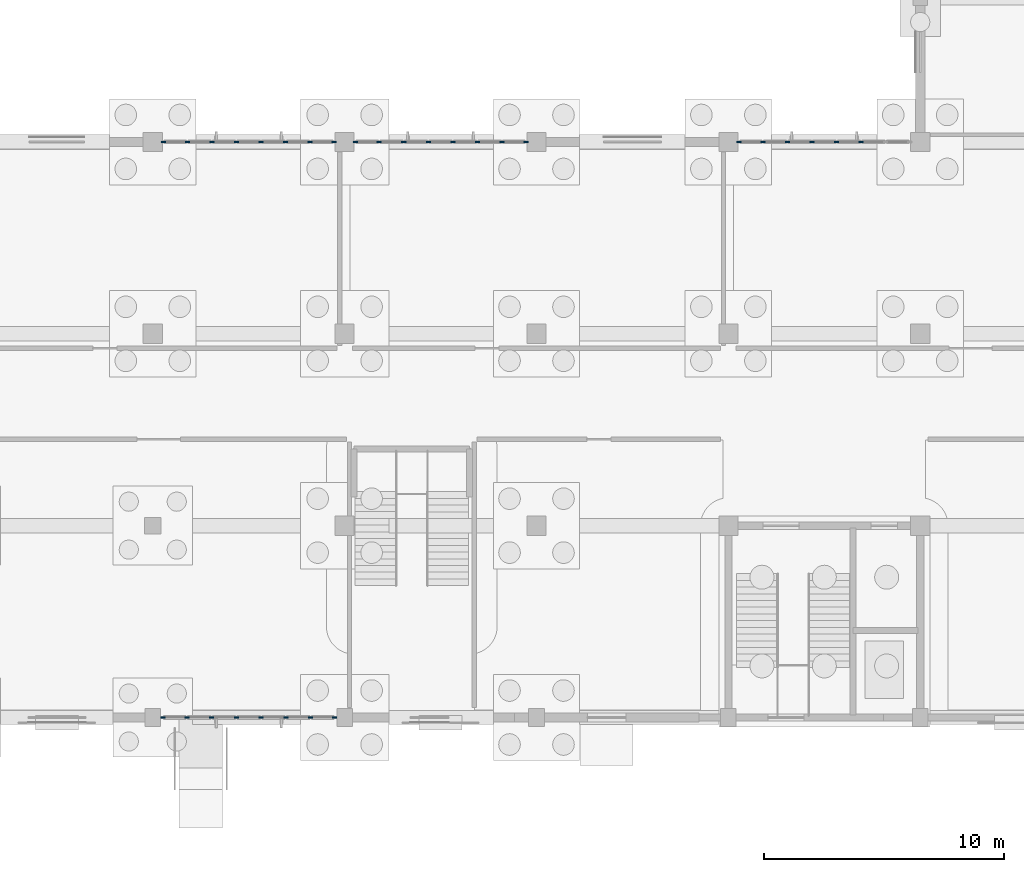
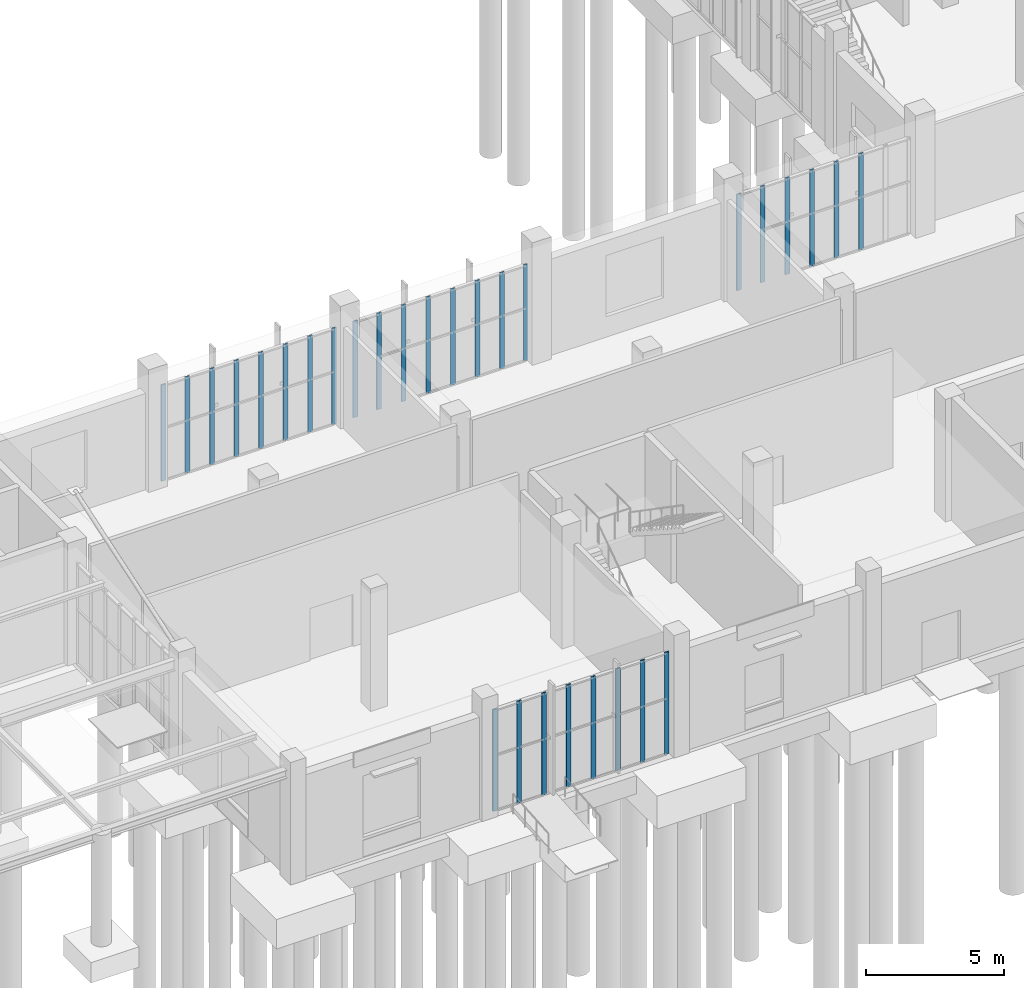
# One storey, part 12 of 69: 30 members, 4 elements without a shape of their own.
"""IFC4 building model written with IfcOpenShell, lengths in metres."""

from ifc_helpers import new_model, si_unit, direction, frame, origin, origin_2d, place, context, subcontext, project, spatial, rectangle, extrude, material, layer, layer_set, material_profile, profile_set, type_object, element, aggregate, save


model = new_model("IFC4")

# Units and contexts
model_context = context("Model", 3, precision=1e-05, world=origin(), true_north=direction((0.0, 1.0)))
body_context = subcontext(model_context, "Body", "Model", "MODEL_VIEW")
ifc_project = project(units=[si_unit("LENGTHUNIT", "METRE"), si_unit("AREAUNIT", "SQUARE_METRE"), si_unit("VOLUMEUNIT", "CUBIC_METRE"), si_unit("PLANEANGLEUNIT", "RADIAN"), si_unit("MASSUNIT", "GRAM", prefix="KILO")], contexts=[model_context])

# Site, building, storey
site_placement = place(None, origin())
site = spatial("IfcSite", under=ifc_project, at=site_placement, CompositionType="ELEMENT")
building_placement = place(site_placement, origin())
building = spatial("IfcBuilding", under=site, at=building_placement, Name="Solvane Community Centre", CompositionType="ELEMENT")
storey_placement = place(building_placement, origin())
storey = spatial("IfcBuildingStorey", under=building, at=storey_placement, Name="L00", CompositionType="ELEMENT", Elevation=0.0)

# Curtain wall, members
ifc_material = material(Name="Anodised bronze aluminium AW-6063 T6", Category="aluminium")
ifc_layer_1 = layer(ifc_material, 0.18994140625)
ifc_layer_set_1 = layer_set([ifc_layer_1], Name="Anodised bronze aluminium AW-6063 T6")
curtain_wall_type_1 = type_object("IfcCurtainWallType", Name="Boulevard Bronze Vision Curtain Wall [72x45dm]", PredefinedType="NOTDEFINED", material=ifc_layer_set_1)
curtain_wall_1_placement = place(storey_placement, origin())
curtain_wall_1 = element("IfcCurtainWall", 1, at=curtain_wall_1_placement, inside=storey, type_object=curtain_wall_type_1, Name="Curtain Wall CW-L00-836_60-001", PredefinedType="NOTDEFINED")
ifc_material_profile = material_profile(ifc_material, rectangle(XDim=0.06005859375, YDim=0.18994140625, at=origin_2d()), Name="CW-M 60x190")
ifc_profile_set = profile_set([ifc_material_profile], Name="Anodised bronze aluminium AW-6063 T6")
member_type = type_object("IfcMemberType", Name="Boulevard Mullion 60x190", PredefinedType="MULLION", material=ifc_profile_set)
member_1_placement = place(storey_placement, frame((83.580078125, 6.0, 0.0), z_axis=(0.0, 0.0, 1.0), x_axis=(0.0, -1.0, 0.0)))
member_1 = element("IfcMember", 2, at=member_1_placement, type_object=member_type, Name="CW02-72x45 mullion 1", PredefinedType="MULLION", context=body_context, shape_type="SweptSolid", body=[
    extrude(rectangle(XDim=0.06005859375, YDim=0.18994140625, at=origin_2d()), origin(), (0.0, 0.0, 1.0), 4.4951171875),
])
member_2_placement = place(storey_placement, frame((82.57861328125, 6.0, 0.0), z_axis=(0.0, 0.0, 1.0), x_axis=(0.0, -1.0, 0.0)))
member_2 = element("IfcMember", 3, at=member_2_placement, type_object=member_type, Name="CW02-72x45 mullion 2", PredefinedType="MULLION", context=body_context, shape_type="SweptSolid", body=[
    extrude(rectangle(XDim=0.06005859375, YDim=0.18994140625, at=origin_2d()), origin(), (0.0, 0.0, 1.0), 4.4951171875),
])
member_3_placement = place(storey_placement, frame((81.547119140625, 6.0, 0.0), z_axis=(0.0, 0.0, 1.0), x_axis=(0.0, -1.0, 0.0)))
member_3 = element("IfcMember", 4, at=member_3_placement, type_object=member_type, Name="CW02-72x45 mullion 3", PredefinedType="MULLION", context=body_context, shape_type="SweptSolid", body=[
    extrude(rectangle(XDim=0.06005859375, YDim=0.18994140625, at=origin_2d()), origin(), (0.0, 0.0, 1.0), 4.4951171875),
])
member_4_placement = place(storey_placement, frame((80.515625, 6.0, 0.0), z_axis=(0.0, 0.0, 1.0), x_axis=(0.0, -1.0, 0.0)))
member_4 = element("IfcMember", 5, at=member_4_placement, type_object=member_type, Name="CW02-72x45 mullion 4", PredefinedType="MULLION", context=body_context, shape_type="SweptSolid", body=[
    extrude(rectangle(XDim=0.06005859375, YDim=0.18994140625, at=origin_2d()), origin(), (0.0, 0.0, 1.0), 4.4951171875),
])
member_5_placement = place(storey_placement, frame((79.484375, 6.0, 0.0), z_axis=(0.0, 0.0, 1.0), x_axis=(0.0, -1.0, 0.0)))
member_5 = element("IfcMember", 6, at=member_5_placement, type_object=member_type, Name="CW02-72x45 mullion 5", PredefinedType="MULLION", context=body_context, shape_type="SweptSolid", body=[
    extrude(rectangle(XDim=0.06005859375, YDim=0.18994140625, at=origin_2d()), origin(), (0.0, 0.0, 1.0), 4.4951171875),
])
member_6_placement = place(storey_placement, frame((78.452880859375, 6.0, 0.0), z_axis=(0.0, 0.0, 1.0), x_axis=(0.0, -1.0, 0.0)))
member_6 = element("IfcMember", 7, at=member_6_placement, type_object=member_type, Name="CW02-72x45 mullion 6", PredefinedType="MULLION", context=body_context, shape_type="SweptSolid", body=[
    extrude(rectangle(XDim=0.06005859375, YDim=0.18994140625, at=origin_2d()), origin(), (0.0, 0.0, 1.0), 4.4951171875),
])
member_7_placement = place(storey_placement, frame((77.42138671875, 6.0, 0.0), z_axis=(0.0, 0.0, 1.0), x_axis=(0.0, -1.0, 0.0)))
member_7 = element("IfcMember", 8, at=member_7_placement, type_object=member_type, Name="CW02-72x45 mullion 7", PredefinedType="MULLION", context=body_context, shape_type="SweptSolid", body=[
    extrude(rectangle(XDim=0.06005859375, YDim=0.18994140625, at=origin_2d()), origin(), (0.0, 0.0, 1.0), 4.4951171875),
])
member_8_placement = place(storey_placement, frame((76.419921875, 6.0, 0.0), z_axis=(0.0, 0.0, 1.0), x_axis=(0.0, -1.0, 0.0)))
member_8 = element("IfcMember", 9, at=member_8_placement, type_object=member_type, Name="CW02-72x45 mullion 8", PredefinedType="MULLION", context=body_context, shape_type="SweptSolid", body=[
    extrude(rectangle(XDim=0.06005859375, YDim=0.18994140625, at=origin_2d()), origin(), (0.0, 0.0, 1.0), 4.4951171875),
])
aggregate(curtain_wall_1, [member_1, member_2, member_3, member_4, member_5, member_6, member_7, member_8])

ifc_layer_2 = layer(ifc_material, 0.18994140625)
ifc_layer_set_2 = layer_set([ifc_layer_2], Name="Anodised bronze aluminium AW-6063 T6")
curtain_wall_type_2 = type_object("IfcCurtainWallType", Name="Boulevard Bronze Vision Curtain Wall [72x42dm]", PredefinedType="NOTDEFINED", material=ifc_layer_set_2)
curtain_wall_2_placement = place(storey_placement, origin())
curtain_wall_2 = element("IfcCurtainWall", 10, at=curtain_wall_2_placement, inside=storey, type_object=curtain_wall_type_2, Name="Curtain Wall CW-L00-764_300-023", PredefinedType="NOTDEFINED")
member_9_placement = place(storey_placement, frame((76.445068359375, 30.0, 0.0), z_axis=(0.0, 0.0, 1.0), x_axis=(0.0, 1.0, 0.0)))
member_9 = element("IfcMember", 11, at=member_9_placement, type_object=member_type, Name="CW02-72x42 mullion 1", PredefinedType="MULLION", context=body_context, shape_type="SweptSolid", body=[
    extrude(rectangle(XDim=0.06005859375, YDim=0.18994140625, at=origin_2d()), origin(), (0.0, 0.0, 1.0), 4.2451171875),
])
member_10_placement = place(storey_placement, frame((77.439208984375, 30.0, 0.0), z_axis=(0.0, 0.0, 1.0), x_axis=(0.0, 1.0, 0.0)))
member_10 = element("IfcMember", 12, at=member_10_placement, type_object=member_type, Name="CW02-72x42 mullion 2", PredefinedType="MULLION", context=body_context, shape_type="SweptSolid", body=[
    extrude(rectangle(XDim=0.06005859375, YDim=0.18994140625, at=origin_2d()), origin(), (0.0, 0.0, 1.0), 4.2451171875),
])
member_11_placement = place(storey_placement, frame((78.463623046875, 30.0, 0.0), z_axis=(0.0, 0.0, 1.0), x_axis=(0.0, 1.0, 0.0)))
member_11 = element("IfcMember", 13, at=member_11_placement, type_object=member_type, Name="CW02-72x42 mullion 3", PredefinedType="MULLION", context=body_context, shape_type="SweptSolid", body=[
    extrude(rectangle(XDim=0.06005859375, YDim=0.18994140625, at=origin_2d()), origin(), (0.0, 0.0, 1.0), 4.2451171875),
])
member_12_placement = place(storey_placement, frame((79.48779296875, 30.0, 0.0), z_axis=(0.0, 0.0, 1.0), x_axis=(0.0, 1.0, 0.0)))
member_12 = element("IfcMember", 14, at=member_12_placement, type_object=member_type, Name="CW02-72x42 mullion 4", PredefinedType="MULLION", context=body_context, shape_type="SweptSolid", body=[
    extrude(rectangle(XDim=0.06005859375, YDim=0.18994140625, at=origin_2d()), origin(), (0.0, 0.0, 1.0), 4.2451171875),
])
member_13_placement = place(storey_placement, frame((80.51220703125, 30.0, 0.0), z_axis=(0.0, 0.0, 1.0), x_axis=(0.0, 1.0, 0.0)))
member_13 = element("IfcMember", 15, at=member_13_placement, type_object=member_type, Name="CW02-72x42 mullion 5", PredefinedType="MULLION", context=body_context, shape_type="SweptSolid", body=[
    extrude(rectangle(XDim=0.06005859375, YDim=0.18994140625, at=origin_2d()), origin(), (0.0, 0.0, 1.0), 4.2451171875),
])
member_14_placement = place(storey_placement, frame((81.536376953125, 30.0, 0.0), z_axis=(0.0, 0.0, 1.0), x_axis=(0.0, 1.0, 0.0)))
member_14 = element("IfcMember", 16, at=member_14_placement, type_object=member_type, Name="CW02-72x42 mullion 6", PredefinedType="MULLION", context=body_context, shape_type="SweptSolid", body=[
    extrude(rectangle(XDim=0.06005859375, YDim=0.18994140625, at=origin_2d()), origin(), (0.0, 0.0, 1.0), 4.2451171875),
])
member_15_placement = place(storey_placement, frame((82.560791015625, 30.0, 0.0), z_axis=(0.0, 0.0, 1.0), x_axis=(0.0, 1.0, 0.0)))
member_15 = element("IfcMember", 17, at=member_15_placement, type_object=member_type, Name="CW02-72x42 mullion 7", PredefinedType="MULLION", context=body_context, shape_type="SweptSolid", body=[
    extrude(rectangle(XDim=0.06005859375, YDim=0.18994140625, at=origin_2d()), origin(), (0.0, 0.0, 1.0), 4.2451171875),
])
member_16_placement = place(storey_placement, frame((83.554931640625, 30.0, 0.0), z_axis=(0.0, 0.0, 1.0), x_axis=(0.0, 1.0, 0.0)))
member_16 = element("IfcMember", 18, at=member_16_placement, type_object=member_type, Name="CW02-72x42 mullion 8", PredefinedType="MULLION", context=body_context, shape_type="SweptSolid", body=[
    extrude(rectangle(XDim=0.06005859375, YDim=0.18994140625, at=origin_2d()), origin(), (0.0, 0.0, 1.0), 4.2451171875),
])
aggregate(curtain_wall_2, [member_9, member_10, member_11, member_12, member_13, member_14, member_15, member_16])

curtain_wall_3_placement = place(storey_placement, origin())
curtain_wall_3 = element("IfcCurtainWall", 19, at=curtain_wall_3_placement, inside=storey, type_object=curtain_wall_type_2, Name="Curtain Wall CW-L00-844_300-024", PredefinedType="NOTDEFINED")
member_17_placement = place(storey_placement, frame((84.445068359375, 30.0, 0.0), z_axis=(0.0, 0.0, 1.0), x_axis=(0.0, 1.0, 0.0)))
member_17 = element("IfcMember", 20, at=member_17_placement, type_object=member_type, Name="CW02-72x42 mullion 1", PredefinedType="MULLION", context=body_context, shape_type="SweptSolid", body=[
    extrude(rectangle(XDim=0.06005859375, YDim=0.18994140625, at=origin_2d()), origin(), (0.0, 0.0, 1.0), 4.2451171875),
])
member_18_placement = place(storey_placement, frame((85.439208984375, 30.0, 0.0), z_axis=(0.0, 0.0, 1.0), x_axis=(0.0, 1.0, 0.0)))
member_18 = element("IfcMember", 21, at=member_18_placement, type_object=member_type, Name="CW02-72x42 mullion 2", PredefinedType="MULLION", context=body_context, shape_type="SweptSolid", body=[
    extrude(rectangle(XDim=0.06005859375, YDim=0.18994140625, at=origin_2d()), origin(), (0.0, 0.0, 1.0), 4.2451171875),
])
member_19_placement = place(storey_placement, frame((86.463623046875, 30.0, 0.0), z_axis=(0.0, 0.0, 1.0), x_axis=(0.0, 1.0, 0.0)))
member_19 = element("IfcMember", 22, at=member_19_placement, type_object=member_type, Name="CW02-72x42 mullion 3", PredefinedType="MULLION", context=body_context, shape_type="SweptSolid", body=[
    extrude(rectangle(XDim=0.06005859375, YDim=0.18994140625, at=origin_2d()), origin(), (0.0, 0.0, 1.0), 4.2451171875),
])
member_20_placement = place(storey_placement, frame((87.48779296875, 30.0, 0.0), z_axis=(0.0, 0.0, 1.0), x_axis=(0.0, 1.0, 0.0)))
member_20 = element("IfcMember", 23, at=member_20_placement, type_object=member_type, Name="CW02-72x42 mullion 4", PredefinedType="MULLION", context=body_context, shape_type="SweptSolid", body=[
    extrude(rectangle(XDim=0.06005859375, YDim=0.18994140625, at=origin_2d()), origin(), (0.0, 0.0, 1.0), 4.2451171875),
])
member_21_placement = place(storey_placement, frame((88.51220703125, 30.0, 0.0), z_axis=(0.0, 0.0, 1.0), x_axis=(0.0, 1.0, 0.0)))
member_21 = element("IfcMember", 24, at=member_21_placement, type_object=member_type, Name="CW02-72x42 mullion 5", PredefinedType="MULLION", context=body_context, shape_type="SweptSolid", body=[
    extrude(rectangle(XDim=0.06005859375, YDim=0.18994140625, at=origin_2d()), origin(), (0.0, 0.0, 1.0), 4.2451171875),
])
member_22_placement = place(storey_placement, frame((89.536376953125, 30.0, 0.0), z_axis=(0.0, 0.0, 1.0), x_axis=(0.0, 1.0, 0.0)))
member_22 = element("IfcMember", 25, at=member_22_placement, type_object=member_type, Name="CW02-72x42 mullion 6", PredefinedType="MULLION", context=body_context, shape_type="SweptSolid", body=[
    extrude(rectangle(XDim=0.06005859375, YDim=0.18994140625, at=origin_2d()), origin(), (0.0, 0.0, 1.0), 4.2451171875),
])
member_23_placement = place(storey_placement, frame((90.560791015625, 30.0, 0.0), z_axis=(0.0, 0.0, 1.0), x_axis=(0.0, 1.0, 0.0)))
member_23 = element("IfcMember", 26, at=member_23_placement, type_object=member_type, Name="CW02-72x42 mullion 7", PredefinedType="MULLION", context=body_context, shape_type="SweptSolid", body=[
    extrude(rectangle(XDim=0.06005859375, YDim=0.18994140625, at=origin_2d()), origin(), (0.0, 0.0, 1.0), 4.2451171875),
])
member_24_placement = place(storey_placement, frame((91.554931640625, 30.0, 0.0), z_axis=(0.0, 0.0, 1.0), x_axis=(0.0, 1.0, 0.0)))
member_24 = element("IfcMember", 27, at=member_24_placement, type_object=member_type, Name="CW02-72x42 mullion 8", PredefinedType="MULLION", context=body_context, shape_type="SweptSolid", body=[
    extrude(rectangle(XDim=0.06005859375, YDim=0.18994140625, at=origin_2d()), origin(), (0.0, 0.0, 1.0), 4.2451171875),
])
aggregate(curtain_wall_3, [member_17, member_18, member_19, member_20, member_21, member_22, member_23, member_24])

curtain_wall_4_placement = place(storey_placement, origin())
curtain_wall_4 = element("IfcCurtainWall", 28, at=curtain_wall_4_placement, inside=storey, type_object=curtain_wall_type_2, Name="Curtain Wall CW-L00-1004_300-025", PredefinedType="NOTDEFINED")
member_25_placement = place(storey_placement, frame((100.445068359375, 30.0, 0.0), z_axis=(0.0, 0.0, 1.0), x_axis=(0.0, 1.0, 0.0)))
member_25 = element("IfcMember", 29, at=member_25_placement, type_object=member_type, Name="CW02-72x42 mullion 1", PredefinedType="MULLION", context=body_context, shape_type="SweptSolid", body=[
    extrude(rectangle(XDim=0.06005859375, YDim=0.18994140625, at=origin_2d()), origin(), (0.0, 0.0, 1.0), 4.2451171875),
])
member_26_placement = place(storey_placement, frame((101.439208984375, 30.0, 0.0), z_axis=(0.0, 0.0, 1.0), x_axis=(0.0, 1.0, 0.0)))
member_26 = element("IfcMember", 30, at=member_26_placement, type_object=member_type, Name="CW02-72x42 mullion 2", PredefinedType="MULLION", context=body_context, shape_type="SweptSolid", body=[
    extrude(rectangle(XDim=0.06005859375, YDim=0.18994140625, at=origin_2d()), origin(), (0.0, 0.0, 1.0), 4.2451171875),
])
member_27_placement = place(storey_placement, frame((102.463623046875, 30.0, 0.0), z_axis=(0.0, 0.0, 1.0), x_axis=(0.0, 1.0, 0.0)))
member_27 = element("IfcMember", 31, at=member_27_placement, type_object=member_type, Name="CW02-72x42 mullion 3", PredefinedType="MULLION", context=body_context, shape_type="SweptSolid", body=[
    extrude(rectangle(XDim=0.06005859375, YDim=0.18994140625, at=origin_2d()), origin(), (0.0, 0.0, 1.0), 4.2451171875),
])
member_28_placement = place(storey_placement, frame((103.48779296875, 30.0, 0.0), z_axis=(0.0, 0.0, 1.0), x_axis=(0.0, 1.0, 0.0)))
member_28 = element("IfcMember", 32, at=member_28_placement, type_object=member_type, Name="CW02-72x42 mullion 4", PredefinedType="MULLION", context=body_context, shape_type="SweptSolid", body=[
    extrude(rectangle(XDim=0.06005859375, YDim=0.18994140625, at=origin_2d()), origin(), (0.0, 0.0, 1.0), 4.2451171875),
])
member_29_placement = place(storey_placement, frame((104.51220703125, 30.0, 0.0), z_axis=(0.0, 0.0, 1.0), x_axis=(0.0, 1.0, 0.0)))
member_29 = element("IfcMember", 33, at=member_29_placement, type_object=member_type, Name="CW02-72x42 mullion 5", PredefinedType="MULLION", context=body_context, shape_type="SweptSolid", body=[
    extrude(rectangle(XDim=0.06005859375, YDim=0.18994140625, at=origin_2d()), origin(), (0.0, 0.0, 1.0), 4.2451171875),
])
member_30_placement = place(storey_placement, frame((105.536376953125, 30.0, 0.0), z_axis=(0.0, 0.0, 1.0), x_axis=(0.0, 1.0, 0.0)))
member_30 = element("IfcMember", 34, at=member_30_placement, type_object=member_type, Name="CW02-72x42 mullion 6", PredefinedType="MULLION", context=body_context, shape_type="SweptSolid", body=[
    extrude(rectangle(XDim=0.06005859375, YDim=0.18994140625, at=origin_2d()), origin(), (0.0, 0.0, 1.0), 4.2451171875),
])
aggregate(curtain_wall_4, [member_25, member_26, member_27, member_28, member_29, member_30])

save(model, "model.ifc")
